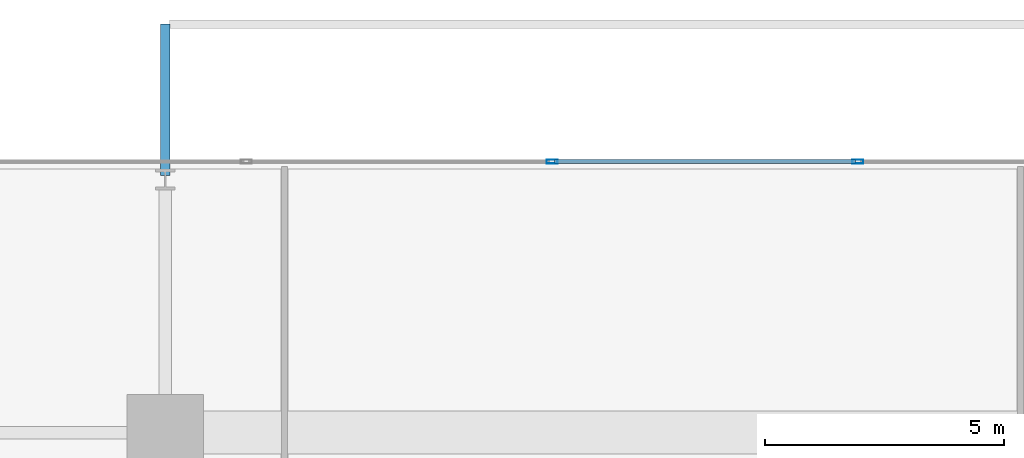
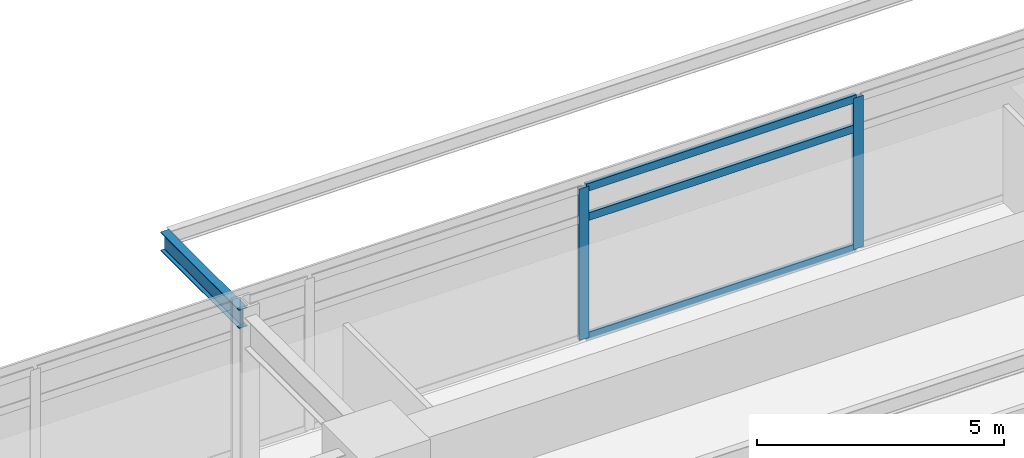
# One storey, part 9 of 24: 5 members, 1 beam, 1 element without a shape of its own.
"""IFC4 building model written with IfcOpenShell, lengths in metres."""

from ifc_helpers import new_model, si_unit, direction, frame, origin, origin_2d, place, context, subcontext, project, spatial, hollow_rectangle, i_section, extrude, material, material_profile, profile_set, type_object, element, aggregate, save


model = new_model("IFC4")

# Units and contexts
model_context = context("Model", 3, precision=1e-05, world=origin(), true_north=direction((0.0, 1.0)))
body_context = subcontext(model_context, "Body", "Model", "MODEL_VIEW")
ifc_project = project(units=[si_unit("LENGTHUNIT", "METRE"), si_unit("AREAUNIT", "SQUARE_METRE"), si_unit("VOLUMEUNIT", "CUBIC_METRE"), si_unit("PLANEANGLEUNIT", "RADIAN"), si_unit("MASSUNIT", "GRAM", prefix="KILO")], contexts=[model_context])

# Site, building, storey
site_placement = place(None, origin())
site = spatial("IfcSite", under=ifc_project, at=site_placement, CompositionType="ELEMENT")
building_placement = place(site_placement, origin())
building = spatial("IfcBuilding", under=site, at=building_placement, Name="Kovane Verandah Tower", CompositionType="ELEMENT")
storey_placement = place(building_placement, frame((0.0, 0.0, 144.39990234375)))
storey = spatial("IfcBuildingStorey", under=building, at=storey_placement, Name="L33", CompositionType="ELEMENT", Elevation=144.39990234375)

# Curtain wall, members
ifc_material_1 = material(Name="Champagne Anodised Aluminium Frame with Low-E Clear Laminated Glass", Category="aluminium")
curtain_wall_type = type_object("IfcCurtainWallType", Name="CW-SYS-03-MID", PredefinedType="NOTDEFINED", material=ifc_material_1)
curtain_wall_placement = place(storey_placement, origin())
curtain_wall = element("IfcCurtainWall", 1, at=curtain_wall_placement, inside=storey, type_object=curtain_wall_type, Name="L33 N Unitised Curtain Wall", PredefinedType="NOTDEFINED")
ifc_material_2 = material(Name="Champagne Anodised Aluminium 6063-T6", Category="aluminium")
ifc_material_profile_1 = material_profile(ifc_material_2, hollow_rectangle(XDim=0.0849609375, YDim=0.22998046875, WallThickness=0.00390625, at=origin_2d()), Name="AL85x230x4")
ifc_profile_set_1 = profile_set([ifc_material_profile_1], Name="Champagne Anodised Aluminium 6063-T6")
member_type_1 = type_object("IfcMemberType", Name="CW-MUL-85x230", PredefinedType="MULLION", material=ifc_profile_set_1)
member_1_placement = place(storey_placement, frame((43.5048828125, 49.875, 0.02001953125), z_axis=(0.0, 0.0, 1.0), x_axis=(0.0, 1.0, 0.0)))
member_1 = element("IfcMember", 2, at=member_1_placement, type_object=member_type_1, Name="L33 N Unitised Curtain Wall Mullion 4", PredefinedType="MULLION", context=body_context, shape_type="SweptSolid", body=[
    extrude(hollow_rectangle(XDim=0.0849609375, YDim=0.22998046875, WallThickness=0.00390625, at=origin_2d()), origin(), (0.0, 0.0, 1.0), 3.735107421875),
])
member_2_placement = place(storey_placement, frame((37.101806640625, 49.875, 0.02001953125), z_axis=(0.0, 0.0, 1.0), x_axis=(0.0, 1.0, 0.0)))
member_2 = element("IfcMember", 3, at=member_2_placement, type_object=member_type_1, Name="L33 N Unitised Curtain Wall Mullion 5", PredefinedType="MULLION", context=body_context, shape_type="SweptSolid", body=[
    extrude(hollow_rectangle(XDim=0.0849609375, YDim=0.22998046875, WallThickness=0.00390625, at=origin_2d()), origin(), (0.0, 0.0, 1.0), 3.735107421875),
])
ifc_material_profile_2 = material_profile(ifc_material_2, hollow_rectangle(XDim=0.0849609375, YDim=0.18994140625, WallThickness=0.00390625, at=origin_2d()), Name="AL85x190x4")
ifc_profile_set_2 = profile_set([ifc_material_profile_2], Name="Champagne Anodised Aluminium 6063-T6")
member_type_2 = type_object("IfcMemberType", Name="CW-TRN-85x190", PredefinedType="USERDEFINED", material=ifc_profile_set_2)
member_3_placement = place(storey_placement, frame((43.454833984375, 49.875, 0.050048828125), z_axis=(-1.0, 0.0, 0.0), x_axis=(0.0, -1.0, 0.0)))
member_3 = element("IfcMember", 4, at=member_3_placement, type_object=member_type_2, Name="L33 N Unitised Curtain Wall Transom TB Bay 4", ObjectType="TRANSOM", PredefinedType="USERDEFINED", context=body_context, shape_type="SweptSolid", body=[
    extrude(hollow_rectangle(XDim=0.0849609375, YDim=0.18994140625, WallThickness=0.00390625, at=origin_2d()), origin(), (0.0, 0.0, 1.0), 6.302978515625),
])
member_4_placement = place(storey_placement, frame((43.454833984375, 49.875, 2.9951171875), z_axis=(-1.0, 0.0, 0.0), x_axis=(0.0, -1.0, 0.0)))
member_4 = element("IfcMember", 5, at=member_4_placement, type_object=member_type_2, Name="L33 N Unitised Curtain Wall Transom TM Bay 4", ObjectType="TRANSOM", PredefinedType="USERDEFINED", context=body_context, shape_type="SweptSolid", body=[
    extrude(hollow_rectangle(XDim=0.0849609375, YDim=0.18994140625, WallThickness=0.00390625, at=origin_2d()), origin(), (0.0, 0.0, 1.0), 6.302978515625),
])
member_5_placement = place(storey_placement, frame((43.454833984375, 49.875, 3.72509765625), z_axis=(-1.0, 0.0, 0.0), x_axis=(0.0, -1.0, 0.0)))
member_5 = element("IfcMember", 6, at=member_5_placement, type_object=member_type_2, Name="L33 N Unitised Curtain Wall Transom TT Bay 4", ObjectType="TRANSOM", PredefinedType="USERDEFINED", context=body_context, shape_type="SweptSolid", body=[
    extrude(hollow_rectangle(XDim=0.0849609375, YDim=0.18994140625, WallThickness=0.00390625, at=origin_2d()), origin(), (0.0, 0.0, 1.0), 6.302978515625),
])
aggregate(curtain_wall, [member_1, member_2, member_3, member_4, member_5])

# Beam
ifc_material_3 = material(Name="Steel S355", Category="steel")
ifc_material_profile_3 = material_profile(ifc_material_3, i_section(OverallWidth=0.19287109375, OverallDepth=0.46728515625, WebThickness=0.011474609375, FlangeThickness=0.01953125, FilletRadius=0.01025390625, at=origin_2d()), Name="UB457x191x98")
ifc_profile_set_3 = profile_set([ifc_material_profile_3], Name="Steel S355")
beam_type = type_object("IfcBeamType", Name="JST-UB457x98", PredefinedType="JOIST", material=ifc_profile_set_3)
beam_placement = place(storey_placement, frame((29.0, 49.580078125, 3.526611328125), z_axis=(0.0, 1.0, 0.0), x_axis=(-1.0, 0.0, 0.0)))
element("IfcBeam", 7, at=beam_placement, inside=storey, type_object=beam_type, Name="L33 North Planter Girder 1", PredefinedType="JOIST", context=body_context, shape_type="SweptSolid", body=[
    extrude(i_section(OverallWidth=0.19287109375, OverallDepth=0.46728515625, WebThickness=0.011474609375, FlangeThickness=0.01953125, FilletRadius=0.01025390625, at=origin_2d()), origin(), (0.0, 0.0, 1.0), 3.173583984375),
])

save(model, "model.ifc")
